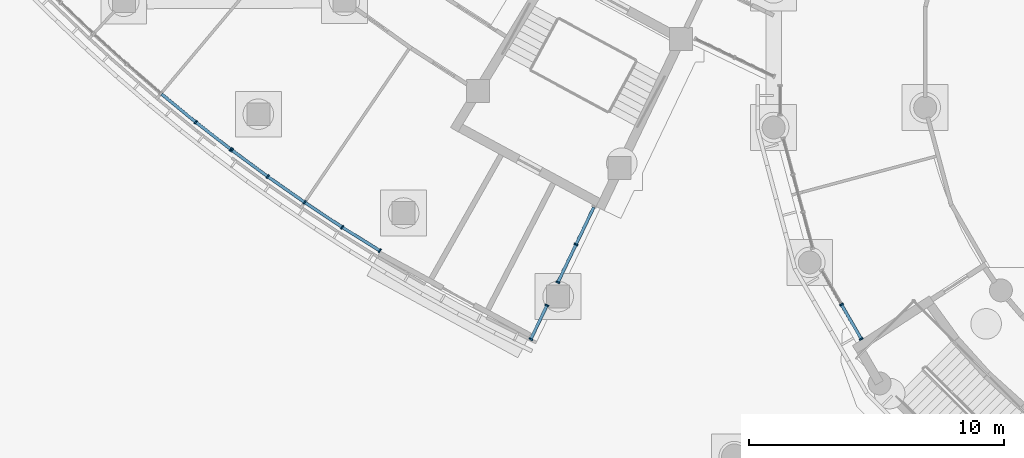
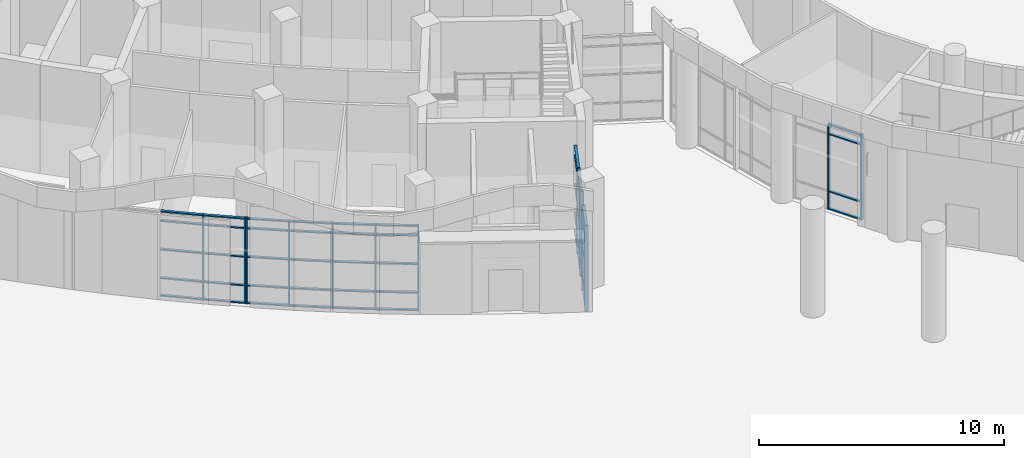
# One storey, part 19 of 146: 62 members, 5 elements without a shape of their own.
"""IFC4 building model written with IfcOpenShell, lengths in metres."""

from ifc_helpers import new_model, si_unit, direction, frame, origin, origin_2d, place, context, subcontext, project, spatial, rectangle, extrude, material, material_profile, profile_set, type_object, element, aggregate, save


model = new_model("IFC4")

# Units and contexts
model_context = context("Model", 3, precision=1e-05, world=origin(), true_north=direction((0.0, 1.0)))
body_context = subcontext(model_context, "Body", "Model", "MODEL_VIEW")
ifc_project = project(units=[si_unit("LENGTHUNIT", "METRE"), si_unit("AREAUNIT", "SQUARE_METRE"), si_unit("VOLUMEUNIT", "CUBIC_METRE"), si_unit("PLANEANGLEUNIT", "RADIAN"), si_unit("MASSUNIT", "GRAM", prefix="KILO")], contexts=[model_context])

# Site, building, storey
site_placement = place(None, origin())
site = spatial("IfcSite", under=ifc_project, at=site_placement, CompositionType="ELEMENT")
building_placement = place(site_placement, origin())
building = spatial("IfcBuilding", under=site, at=building_placement, Name="Bougainvillea Quay General Hospital", CompositionType="ELEMENT")
storey_placement = place(building_placement, origin())
storey = spatial("IfcBuildingStorey", under=building, at=storey_placement, Name="L00", CompositionType="ELEMENT", Elevation=0.0)

# Curtain wall, members
ifc_material_1 = material(Name="Aluminium curtain wall system, powder-coated glazed", Category="aluminium")
curtain_wall_type_1 = type_object("IfcCurtainWallType", Name="Unitised curtain wall CW-2100", PredefinedType="NOTDEFINED", material=ifc_material_1)
curtain_wall_1_placement = place(storey_placement, origin())
curtain_wall_1 = element("IfcCurtainWall", 1, at=curtain_wall_1_placement, inside=storey, type_object=curtain_wall_type_1, Name="CW-W02 a01b1", PredefinedType="NOTDEFINED")
ifc_material_2 = material(Name="Aluminium mullion, powder-coated charcoal", Category="aluminium")
ifc_material_profile_1 = material_profile(ifc_material_2, rectangle(XDim=0.159912109375, YDim=0.06005859375, at=origin_2d()))
ifc_profile_set_1 = profile_set([ifc_material_profile_1], Name="Aluminium mullion, powder-coated charcoal")
member_type_1 = type_object("IfcMemberType", Name="Curtain wall mullion 160x60", PredefinedType="MULLION", material=ifc_profile_set_1)
member_1_placement = place(storey_placement, frame((72.925537109375, 66.425048828125, 0.0), z_axis=(0.0, 0.0, 1.0), x_axis=(-0.530488991968, -0.847691824545, 0.0)))
member_1 = element("IfcMember", 2, at=member_1_placement, type_object=member_type_1, Name="CW-W02 mullion 1", PredefinedType="MULLION", context=body_context, shape_type="SweptSolid", body=[
    extrude(rectangle(XDim=0.159912109375, YDim=0.06005859375, at=origin_2d()), origin(), (0.0, 0.0, 1.0), 4.25),
])
member_2_placement = place(storey_placement, frame((71.45166015625, 67.347412109375, 0.0), z_axis=(0.0, 0.0, 1.0), x_axis=(-0.541194636325, -0.840897357359, 0.0)))
member_2 = element("IfcMember", 3, at=member_2_placement, type_object=member_type_1, Name="CW-W02 mullion 2", PredefinedType="MULLION", context=body_context, shape_type="SweptSolid", body=[
    extrude(rectangle(XDim=0.159912109375, YDim=0.06005859375, at=origin_2d()), origin(), (0.0, 0.0, 1.0), 4.25),
])
member_3_placement = place(storey_placement, frame((69.9765625, 68.323486328125, 0.0), z_axis=(0.0, 0.0, 1.0), x_axis=(-0.562343185136, -0.826903949762, 0.0)))
member_3 = element("IfcMember", 4, at=member_3_placement, type_object=member_type_1, Name="CW-W02 mullion 3", PredefinedType="MULLION", context=body_context, shape_type="SweptSolid", body=[
    extrude(rectangle(XDim=0.159912109375, YDim=0.06005859375, at=origin_2d()), origin(), (0.0, 0.0, 1.0), 4.25),
])
member_4_placement = place(storey_placement, frame((68.526611328125, 69.336669921875, 0.0), z_axis=(0.0, 0.0, 1.0), x_axis=(-0.583130104218, -0.812378779606, 0.0)))
member_4 = element("IfcMember", 5, at=member_4_placement, type_object=member_type_1, Name="CW-W02 mullion 4", PredefinedType="MULLION", context=body_context, shape_type="SweptSolid", body=[
    extrude(rectangle(XDim=0.159912109375, YDim=0.06005859375, at=origin_2d()), origin(), (0.0, 0.0, 1.0), 4.25),
])
member_5_placement = place(storey_placement, frame((67.127197265625, 70.368408203125, 0.0), z_axis=(0.0, 0.0, 1.0), x_axis=(-0.593383765922, -0.804919689373, 0.0)))
member_5 = element("IfcMember", 6, at=member_5_placement, type_object=member_type_1, Name="CW-W02 mullion 5", PredefinedType="MULLION", context=body_context, shape_type="SweptSolid", body=[
    extrude(rectangle(XDim=0.159912109375, YDim=0.06005859375, at=origin_2d()), origin(), (0.0, 0.0, 1.0), 4.25),
])

curtain_wall_2_placement = place(storey_placement, origin())
curtain_wall_2 = element("IfcCurtainWall", 7, at=curtain_wall_2_placement, inside=storey, type_object=curtain_wall_type_1, Name="CW-W03 a01b2", PredefinedType="NOTDEFINED")
member_6_placement = place(storey_placement, frame((67.079345703125, 70.404541015625, 0.0), z_axis=(0.0, 0.0, 1.0), x_axis=(-0.613603251226, -0.789614494602, 0.0)))
member_6 = element("IfcMember", 8, at=member_6_placement, type_object=member_type_1, Name="CW-W03 mullion 1", PredefinedType="MULLION", context=body_context, shape_type="SweptSolid", body=[
    extrude(rectangle(XDim=0.159912109375, YDim=0.06005859375, at=origin_2d()), origin(), (0.0, 0.0, 1.0), 4.25),
])
member_7_placement = place(storey_placement, frame((65.706298828125, 71.471435546875, 0.0), z_axis=(0.0, 0.0, 1.0), x_axis=(-0.623565824026, -0.781770850765, 0.0)))
member_7 = element("IfcMember", 9, at=member_7_placement, type_object=member_type_1, Name="CW-W03 mullion 2", PredefinedType="MULLION", context=body_context, shape_type="SweptSolid", body=[
    extrude(rectangle(XDim=0.159912109375, YDim=0.06005859375, at=origin_2d()), origin(), (0.0, 0.0, 1.0), 4.25),
])

curtain_wall_type_2 = type_object("IfcCurtainWallType", Name="Unitised curtain wall CW-1530", PredefinedType="NOTDEFINED", material=ifc_material_1)
curtain_wall_3_placement = place(storey_placement, origin())
curtain_wall_3 = element("IfcCurtainWall", 10, at=curtain_wall_3_placement, inside=storey, type_object=curtain_wall_type_2, Name="CW-AE 00", PredefinedType="NOTDEFINED")
member_8_placement = place(storey_placement, frame((78.851318359375, 62.95361328125, 0.0), z_axis=(0.0, 0.0, 1.0), x_axis=(-0.902576055431, 0.430530445105, 0.0)))
member_8 = element("IfcMember", 11, at=member_8_placement, type_object=member_type_1, Name="CW-AE mullion 1", PredefinedType="MULLION", context=body_context, shape_type="SweptSolid", body=[
    extrude(rectangle(XDim=0.159912109375, YDim=0.06005859375, at=origin_2d()), origin(), (0.0, 0.0, 1.0), 4.25),
])
member_9_placement = place(storey_placement, frame((79.484130859375, 64.2802734375, 0.0), z_axis=(0.0, 0.0, 1.0), x_axis=(-0.902576055431, 0.430530445105, 0.0)))
member_9 = element("IfcMember", 12, at=member_9_placement, type_object=member_type_1, Name="CW-AE mullion 2", PredefinedType="MULLION", context=body_context, shape_type="SweptSolid", body=[
    extrude(rectangle(XDim=0.159912109375, YDim=0.06005859375, at=origin_2d()), origin(), (0.0, 0.0, 1.0), 4.25),
])

curtain_wall_type_3 = type_object("IfcCurtainWallType", Name="Unitised curtain wall CW-1678", PredefinedType="NOTDEFINED", material=ifc_material_1)
curtain_wall_4_placement = place(storey_placement, origin())
curtain_wall_4 = element("IfcCurtainWall", 13, at=curtain_wall_4_placement, inside=storey, type_object=curtain_wall_type_3, Name="CW-AE 01", PredefinedType="NOTDEFINED")
member_10_placement = place(storey_placement, frame((79.91455078125, 65.182861328125, 0.0), z_axis=(0.0, 0.0, 1.0), x_axis=(-0.902576055431, 0.430530445105, 0.0)))
member_10 = element("IfcMember", 14, at=member_10_placement, type_object=member_type_1, Name="CW-AE mullion 1", PredefinedType="MULLION", context=body_context, shape_type="SweptSolid", body=[
    extrude(rectangle(XDim=0.159912109375, YDim=0.06005859375, at=origin_2d()), origin(), (0.0, 0.0, 1.0), 4.25),
])
member_11_placement = place(storey_placement, frame((80.6240234375, 66.670166015625, 0.0), z_axis=(0.0, 0.0, 1.0), x_axis=(-0.902576055431, 0.430530445105, 0.0)))
member_11 = element("IfcMember", 15, at=member_11_placement, type_object=member_type_1, Name="CW-AE mullion 2", PredefinedType="MULLION", context=body_context, shape_type="SweptSolid", body=[
    extrude(rectangle(XDim=0.159912109375, YDim=0.06005859375, at=origin_2d()), origin(), (0.0, 0.0, 1.0), 4.25),
])

curtain_wall_type_4 = type_object("IfcCurtainWallType", Name="Unitised curtain wall CW-1585", PredefinedType="NOTDEFINED", material=ifc_material_1)
curtain_wall_5_placement = place(storey_placement, origin())
curtain_wall_5 = element("IfcCurtainWall", 16, at=curtain_wall_5_placement, inside=storey, type_object=curtain_wall_type_4, Name="CW-D 00", PredefinedType="NOTDEFINED")
member_12_placement = place(storey_placement, frame((91.04296875, 64.309326171875, 0.0), z_axis=(0.0, 0.0, 1.0), x_axis=(0.866045865692, 0.499964557262, 0.0)))
member_12 = element("IfcMember", 17, at=member_12_placement, type_object=member_type_1, Name="CW-D mullion 2", PredefinedType="MULLION", context=body_context, shape_type="SweptSolid", body=[
    extrude(rectangle(XDim=0.159912109375, YDim=0.06005859375, at=origin_2d()), origin(), (0.0, 0.0, 1.0), 4.25),
])
member_13_placement = place(storey_placement, frame((91.8203125, 62.962646484375, 0.0), z_axis=(0.0, 0.0, 1.0), x_axis=(0.866045865692, 0.499964557262, 0.0)))
member_13 = element("IfcMember", 18, at=member_13_placement, type_object=member_type_1, Name="CW-D mullion 3", PredefinedType="MULLION", context=body_context, shape_type="SweptSolid", body=[
    extrude(rectangle(XDim=0.159912109375, YDim=0.06005859375, at=origin_2d()), origin(), (0.0, 0.0, 1.0), 4.25),
])

# Member
ifc_material_3 = material(Name="Aluminium transom, powder-coated charcoal", Category="aluminium")
ifc_material_profile_2 = material_profile(ifc_material_3, rectangle(XDim=0.1201171875, YDim=0.06005859375, at=origin_2d()))
ifc_profile_set_2 = profile_set([ifc_material_profile_2], Name="Aluminium transom, powder-coated charcoal")
member_type_2 = type_object("IfcMemberType", Name="Curtain wall transom 120x60", PredefinedType="USERDEFINED", material=ifc_profile_set_2)
member_14_placement = place(storey_placement, frame((72.900146484375, 66.44091796875, 0.030029296875), z_axis=(-0.847679524006, 0.530508647036, 0.0), x_axis=(-0.530508647036, -0.847679524006, 0.0)))
member_14 = element("IfcMember", 19, at=member_14_placement, type_object=member_type_2, Name="CW-W02 transom 1.1", ObjectType="TRANSOM", PredefinedType="USERDEFINED", context=body_context, shape_type="SweptSolid", body=[
    extrude(rectangle(XDim=0.1201171875, YDim=0.06005859375, at=origin_2d()), origin(), (0.0, 0.0, 1.0), 1.6787109375),
])

member_15_placement = place(storey_placement, frame((72.900146484375, 66.44091796875, 0.89990234375), z_axis=(-0.847679524006, 0.530508647036, 0.0), x_axis=(-0.530508647036, -0.847679524006, 0.0)))
member_15 = element("IfcMember", 20, at=member_15_placement, type_object=member_type_2, Name="CW-W02 transom 1.2", ObjectType="TRANSOM", PredefinedType="USERDEFINED", context=body_context, shape_type="SweptSolid", body=[
    extrude(rectangle(XDim=0.1201171875, YDim=0.06005859375, at=origin_2d()), origin(), (0.0, 0.0, 1.0), 1.6787109375),
])

member_16_placement = place(storey_placement, frame((72.900146484375, 66.44091796875, 2.324951171875), z_axis=(-0.847679524006, 0.530508647036, 0.0), x_axis=(-0.530508647036, -0.847679524006, 0.0)))
member_16 = element("IfcMember", 21, at=member_16_placement, type_object=member_type_2, Name="CW-W02 transom 1.3", ObjectType="TRANSOM", PredefinedType="USERDEFINED", context=body_context, shape_type="SweptSolid", body=[
    extrude(rectangle(XDim=0.1201171875, YDim=0.06005859375, at=origin_2d()), origin(), (0.0, 0.0, 1.0), 1.6787109375),
])

member_17_placement = place(storey_placement, frame((72.900146484375, 66.44091796875, 3.75), z_axis=(-0.847679524006, 0.530508647036, 0.0), x_axis=(-0.530508647036, -0.847679524006, 0.0)))
member_17 = element("IfcMember", 22, at=member_17_placement, type_object=member_type_2, Name="CW-W02 transom 1.4", ObjectType="TRANSOM", PredefinedType="USERDEFINED", context=body_context, shape_type="SweptSolid", body=[
    extrude(rectangle(XDim=0.1201171875, YDim=0.06005859375, at=origin_2d()), origin(), (0.0, 0.0, 1.0), 1.6787109375),
])

member_18_placement = place(storey_placement, frame((72.900146484375, 66.44091796875, 4.219970703125), z_axis=(-0.847679524006, 0.530508647036, 0.0), x_axis=(-0.530508647036, -0.847679524006, 0.0)))
member_18 = element("IfcMember", 23, at=member_18_placement, type_object=member_type_2, Name="CW-W02 transom 1.5", ObjectType="TRANSOM", PredefinedType="USERDEFINED", context=body_context, shape_type="SweptSolid", body=[
    extrude(rectangle(XDim=0.1201171875, YDim=0.06005859375, at=origin_2d()), origin(), (0.0, 0.0, 1.0), 1.6787109375),
])

member_19_placement = place(storey_placement, frame((71.4267578125, 67.364013671875, 0.030029296875), z_axis=(-0.833979585155, 0.551795298589, 0.0), x_axis=(-0.551795298589, -0.833979585155, 0.0)))
member_19 = element("IfcMember", 24, at=member_19_placement, type_object=member_type_2, Name="CW-W02 transom 2.1", ObjectType="TRANSOM", PredefinedType="USERDEFINED", context=body_context, shape_type="SweptSolid", body=[
    extrude(rectangle(XDim=0.1201171875, YDim=0.06005859375, at=origin_2d()), origin(), (0.0, 0.0, 1.0), 1.708740234375),
])

member_20_placement = place(storey_placement, frame((71.4267578125, 67.364013671875, 0.89990234375), z_axis=(-0.833979585155, 0.551795298589, 0.0), x_axis=(-0.551795298589, -0.833979585155, 0.0)))
member_20 = element("IfcMember", 25, at=member_20_placement, type_object=member_type_2, Name="CW-W02 transom 2.2", ObjectType="TRANSOM", PredefinedType="USERDEFINED", context=body_context, shape_type="SweptSolid", body=[
    extrude(rectangle(XDim=0.1201171875, YDim=0.06005859375, at=origin_2d()), origin(), (0.0, 0.0, 1.0), 1.708740234375),
])

member_21_placement = place(storey_placement, frame((71.4267578125, 67.364013671875, 2.324951171875), z_axis=(-0.833979585155, 0.551795298589, 0.0), x_axis=(-0.551795298589, -0.833979585155, 0.0)))
member_21 = element("IfcMember", 26, at=member_21_placement, type_object=member_type_2, Name="CW-W02 transom 2.3", ObjectType="TRANSOM", PredefinedType="USERDEFINED", context=body_context, shape_type="SweptSolid", body=[
    extrude(rectangle(XDim=0.1201171875, YDim=0.06005859375, at=origin_2d()), origin(), (0.0, 0.0, 1.0), 1.708740234375),
])

member_22_placement = place(storey_placement, frame((71.4267578125, 67.364013671875, 3.75), z_axis=(-0.833979585155, 0.551795298589, 0.0), x_axis=(-0.551795298589, -0.833979585155, 0.0)))
member_22 = element("IfcMember", 27, at=member_22_placement, type_object=member_type_2, Name="CW-W02 transom 2.4", ObjectType="TRANSOM", PredefinedType="USERDEFINED", context=body_context, shape_type="SweptSolid", body=[
    extrude(rectangle(XDim=0.1201171875, YDim=0.06005859375, at=origin_2d()), origin(), (0.0, 0.0, 1.0), 1.708740234375),
])

member_23_placement = place(storey_placement, frame((71.4267578125, 67.364013671875, 4.219970703125), z_axis=(-0.833979585155, 0.551795298589, 0.0), x_axis=(-0.551795298589, -0.833979585155, 0.0)))
member_23 = element("IfcMember", 28, at=member_23_placement, type_object=member_type_2, Name="CW-W02 transom 2.5", ObjectType="TRANSOM", PredefinedType="USERDEFINED", context=body_context, shape_type="SweptSolid", body=[
    extrude(rectangle(XDim=0.1201171875, YDim=0.06005859375, at=origin_2d()), origin(), (0.0, 0.0, 1.0), 1.708740234375),
])

member_24_placement = place(storey_placement, frame((69.951904296875, 68.340576171875, 0.030029296875), z_axis=(-0.81969481029, 0.572800504524, 0.0), x_axis=(-0.572800504524, -0.81969481029, 0.0)))
member_24 = element("IfcMember", 29, at=member_24_placement, type_object=member_type_2, Name="CW-W02 transom 3.1", ObjectType="TRANSOM", PredefinedType="USERDEFINED", context=body_context, shape_type="SweptSolid", body=[
    extrude(rectangle(XDim=0.1201171875, YDim=0.06005859375, at=origin_2d()), origin(), (0.0, 0.0, 1.0), 1.708740234375),
])

member_25_placement = place(storey_placement, frame((69.951904296875, 68.340576171875, 0.89990234375), z_axis=(-0.81969481029, 0.572800504524, 0.0), x_axis=(-0.572800504524, -0.81969481029, 0.0)))
member_25 = element("IfcMember", 30, at=member_25_placement, type_object=member_type_2, Name="CW-W02 transom 3.2", ObjectType="TRANSOM", PredefinedType="USERDEFINED", context=body_context, shape_type="SweptSolid", body=[
    extrude(rectangle(XDim=0.1201171875, YDim=0.06005859375, at=origin_2d()), origin(), (0.0, 0.0, 1.0), 1.708740234375),
])

member_26_placement = place(storey_placement, frame((69.951904296875, 68.340576171875, 2.324951171875), z_axis=(-0.81969481029, 0.572800504524, 0.0), x_axis=(-0.572800504524, -0.81969481029, 0.0)))
member_26 = element("IfcMember", 31, at=member_26_placement, type_object=member_type_2, Name="CW-W02 transom 3.3", ObjectType="TRANSOM", PredefinedType="USERDEFINED", context=body_context, shape_type="SweptSolid", body=[
    extrude(rectangle(XDim=0.1201171875, YDim=0.06005859375, at=origin_2d()), origin(), (0.0, 0.0, 1.0), 1.708740234375),
])

member_27_placement = place(storey_placement, frame((69.951904296875, 68.340576171875, 3.75), z_axis=(-0.81969481029, 0.572800504524, 0.0), x_axis=(-0.572800504524, -0.81969481029, 0.0)))
member_27 = element("IfcMember", 32, at=member_27_placement, type_object=member_type_2, Name="CW-W02 transom 3.4", ObjectType="TRANSOM", PredefinedType="USERDEFINED", context=body_context, shape_type="SweptSolid", body=[
    extrude(rectangle(XDim=0.1201171875, YDim=0.06005859375, at=origin_2d()), origin(), (0.0, 0.0, 1.0), 1.708740234375),
])

member_28_placement = place(storey_placement, frame((69.951904296875, 68.340576171875, 4.219970703125), z_axis=(-0.81969481029, 0.572800504524, 0.0), x_axis=(-0.572800504524, -0.81969481029, 0.0)))
member_28 = element("IfcMember", 33, at=member_28_placement, type_object=member_type_2, Name="CW-W02 transom 3.5", ObjectType="TRANSOM", PredefinedType="USERDEFINED", context=body_context, shape_type="SweptSolid", body=[
    extrude(rectangle(XDim=0.1201171875, YDim=0.06005859375, at=origin_2d()), origin(), (0.0, 0.0, 1.0), 1.708740234375),
])

member_29_placement = place(storey_placement, frame((68.50244140625, 69.3544921875, 0.030029296875), z_axis=(-0.804894956089, 0.593417314934, 0.0), x_axis=(-0.593417314934, -0.804894956089, 0.0)))
member_29 = element("IfcMember", 34, at=member_29_placement, type_object=member_type_2, Name="CW-W02 transom 4.1", ObjectType="TRANSOM", PredefinedType="USERDEFINED", context=body_context, shape_type="SweptSolid", body=[
    extrude(rectangle(XDim=0.1201171875, YDim=0.06005859375, at=origin_2d()), origin(), (0.0, 0.0, 1.0), 1.678466796875),
])

member_30_placement = place(storey_placement, frame((68.50244140625, 69.3544921875, 0.89990234375), z_axis=(-0.804894956089, 0.593417314934, 0.0), x_axis=(-0.593417314934, -0.804894956089, 0.0)))
member_30 = element("IfcMember", 35, at=member_30_placement, type_object=member_type_2, Name="CW-W02 transom 4.2", ObjectType="TRANSOM", PredefinedType="USERDEFINED", context=body_context, shape_type="SweptSolid", body=[
    extrude(rectangle(XDim=0.1201171875, YDim=0.06005859375, at=origin_2d()), origin(), (0.0, 0.0, 1.0), 1.678466796875),
])

member_31_placement = place(storey_placement, frame((68.50244140625, 69.3544921875, 2.324951171875), z_axis=(-0.804894956089, 0.593417314934, 0.0), x_axis=(-0.593417314934, -0.804894956089, 0.0)))
member_31 = element("IfcMember", 36, at=member_31_placement, type_object=member_type_2, Name="CW-W02 transom 4.3", ObjectType="TRANSOM", PredefinedType="USERDEFINED", context=body_context, shape_type="SweptSolid", body=[
    extrude(rectangle(XDim=0.1201171875, YDim=0.06005859375, at=origin_2d()), origin(), (0.0, 0.0, 1.0), 1.678466796875),
])

member_32_placement = place(storey_placement, frame((68.50244140625, 69.3544921875, 3.75), z_axis=(-0.804894956089, 0.593417314934, 0.0), x_axis=(-0.593417314934, -0.804894956089, 0.0)))
member_32 = element("IfcMember", 37, at=member_32_placement, type_object=member_type_2, Name="CW-W02 transom 4.4", ObjectType="TRANSOM", PredefinedType="USERDEFINED", context=body_context, shape_type="SweptSolid", body=[
    extrude(rectangle(XDim=0.1201171875, YDim=0.06005859375, at=origin_2d()), origin(), (0.0, 0.0, 1.0), 1.678466796875),
])

member_33_placement = place(storey_placement, frame((68.50244140625, 69.3544921875, 4.219970703125), z_axis=(-0.804894956089, 0.593417314934, 0.0), x_axis=(-0.593417314934, -0.804894956089, 0.0)))
member_33 = element("IfcMember", 38, at=member_33_placement, type_object=member_type_2, Name="CW-W02 transom 4.5", ObjectType="TRANSOM", PredefinedType="USERDEFINED", context=body_context, shape_type="SweptSolid", body=[
    extrude(rectangle(XDim=0.1201171875, YDim=0.06005859375, at=origin_2d()), origin(), (0.0, 0.0, 1.0), 1.678466796875),
])

aggregate(curtain_wall_1, [member_1, member_2, member_3, member_4, member_5, member_14, member_15, member_16, member_17, member_18, member_19, member_20, member_21, member_22, member_23, member_24, member_25, member_26, member_27, member_28, member_29, member_30, member_31, member_32, member_33])

member_34_placement = place(storey_placement, frame((67.0556640625, 70.423095703125, 0.030029296875), z_axis=(-0.789657512127, 0.613547890178, 0.0), x_axis=(-0.613547890178, -0.789657512127, 0.0)))
member_34 = element("IfcMember", 39, at=member_34_placement, type_object=member_type_2, Name="CW-W03 transom 1.1", ObjectType="TRANSOM", PredefinedType="USERDEFINED", context=body_context, shape_type="SweptSolid", body=[
    extrude(rectangle(XDim=0.1201171875, YDim=0.06005859375, at=origin_2d()), origin(), (0.0, 0.0, 1.0), 1.6787109375),
])

member_35_placement = place(storey_placement, frame((67.0556640625, 70.423095703125, 0.89990234375), z_axis=(-0.789657512127, 0.613547890178, 0.0), x_axis=(-0.613547890178, -0.789657512127, 0.0)))
member_35 = element("IfcMember", 40, at=member_35_placement, type_object=member_type_2, Name="CW-W03 transom 1.2", ObjectType="TRANSOM", PredefinedType="USERDEFINED", context=body_context, shape_type="SweptSolid", body=[
    extrude(rectangle(XDim=0.1201171875, YDim=0.06005859375, at=origin_2d()), origin(), (0.0, 0.0, 1.0), 1.6787109375),
])

member_36_placement = place(storey_placement, frame((67.0556640625, 70.423095703125, 2.324951171875), z_axis=(-0.789657512127, 0.613547890178, 0.0), x_axis=(-0.613547890178, -0.789657512127, 0.0)))
member_36 = element("IfcMember", 41, at=member_36_placement, type_object=member_type_2, Name="CW-W03 transom 1.3", ObjectType="TRANSOM", PredefinedType="USERDEFINED", context=body_context, shape_type="SweptSolid", body=[
    extrude(rectangle(XDim=0.1201171875, YDim=0.06005859375, at=origin_2d()), origin(), (0.0, 0.0, 1.0), 1.6787109375),
])

member_37_placement = place(storey_placement, frame((67.0556640625, 70.423095703125, 3.75), z_axis=(-0.789657512127, 0.613547890178, 0.0), x_axis=(-0.613547890178, -0.789657512127, 0.0)))
member_37 = element("IfcMember", 42, at=member_37_placement, type_object=member_type_2, Name="CW-W03 transom 1.4", ObjectType="TRANSOM", PredefinedType="USERDEFINED", context=body_context, shape_type="SweptSolid", body=[
    extrude(rectangle(XDim=0.1201171875, YDim=0.06005859375, at=origin_2d()), origin(), (0.0, 0.0, 1.0), 1.6787109375),
])

member_38_placement = place(storey_placement, frame((67.0556640625, 70.423095703125, 4.219970703125), z_axis=(-0.789657512127, 0.613547890178, 0.0), x_axis=(-0.613547890178, -0.789657512127, 0.0)))
member_38 = element("IfcMember", 43, at=member_38_placement, type_object=member_type_2, Name="CW-W03 transom 1.5", ObjectType="TRANSOM", PredefinedType="USERDEFINED", context=body_context, shape_type="SweptSolid", body=[
    extrude(rectangle(XDim=0.1201171875, YDim=0.06005859375, at=origin_2d()), origin(), (0.0, 0.0, 1.0), 1.6787109375),
])

member_39_placement = place(storey_placement, frame((65.68310546875, 71.490478515625, 0.030029296875), z_axis=(-0.773766303508, 0.633471157635, 0.0), x_axis=(-0.633471157635, -0.773766303508, 0.0)))
member_39 = element("IfcMember", 44, at=member_39_placement, type_object=member_type_2, Name="CW-W03 transom 2.1", ObjectType="TRANSOM", PredefinedType="USERDEFINED", context=body_context, shape_type="SweptSolid", body=[
    extrude(rectangle(XDim=0.1201171875, YDim=0.06005859375, at=origin_2d()), origin(), (0.0, 0.0, 1.0), 1.708984375),
])

member_40_placement = place(storey_placement, frame((65.68310546875, 71.490478515625, 0.89990234375), z_axis=(-0.773766303508, 0.633471157635, 0.0), x_axis=(-0.633471157635, -0.773766303508, 0.0)))
member_40 = element("IfcMember", 45, at=member_40_placement, type_object=member_type_2, Name="CW-W03 transom 2.2", ObjectType="TRANSOM", PredefinedType="USERDEFINED", context=body_context, shape_type="SweptSolid", body=[
    extrude(rectangle(XDim=0.1201171875, YDim=0.06005859375, at=origin_2d()), origin(), (0.0, 0.0, 1.0), 1.708984375),
])

member_41_placement = place(storey_placement, frame((65.68310546875, 71.490478515625, 2.324951171875), z_axis=(-0.773766303508, 0.633471157635, 0.0), x_axis=(-0.633471157635, -0.773766303508, 0.0)))
member_41 = element("IfcMember", 46, at=member_41_placement, type_object=member_type_2, Name="CW-W03 transom 2.3", ObjectType="TRANSOM", PredefinedType="USERDEFINED", context=body_context, shape_type="SweptSolid", body=[
    extrude(rectangle(XDim=0.1201171875, YDim=0.06005859375, at=origin_2d()), origin(), (0.0, 0.0, 1.0), 1.708984375),
])

member_42_placement = place(storey_placement, frame((65.68310546875, 71.490478515625, 3.75), z_axis=(-0.773766303508, 0.633471157635, 0.0), x_axis=(-0.633471157635, -0.773766303508, 0.0)))
member_42 = element("IfcMember", 47, at=member_42_placement, type_object=member_type_2, Name="CW-W03 transom 2.4", ObjectType="TRANSOM", PredefinedType="USERDEFINED", context=body_context, shape_type="SweptSolid", body=[
    extrude(rectangle(XDim=0.1201171875, YDim=0.06005859375, at=origin_2d()), origin(), (0.0, 0.0, 1.0), 1.708984375),
])

member_43_placement = place(storey_placement, frame((65.68310546875, 71.490478515625, 4.219970703125), z_axis=(-0.773766303508, 0.633471157635, 0.0), x_axis=(-0.633471157635, -0.773766303508, 0.0)))
member_43 = element("IfcMember", 48, at=member_43_placement, type_object=member_type_2, Name="CW-W03 transom 2.5", ObjectType="TRANSOM", PredefinedType="USERDEFINED", context=body_context, shape_type="SweptSolid", body=[
    extrude(rectangle(XDim=0.1201171875, YDim=0.06005859375, at=origin_2d()), origin(), (0.0, 0.0, 1.0), 1.708984375),
])

aggregate(curtain_wall_2, [member_6, member_7, member_34, member_35, member_36, member_37, member_38, member_39, member_40, member_41, member_42, member_43])

member_44_placement = place(storey_placement, frame((78.8642578125, 62.980712890625, 0.030029296875), z_axis=(0.430511593909, 0.902585047245, 0.0), x_axis=(-0.902585047245, 0.430511593909, 0.0)))
member_44 = element("IfcMember", 49, at=member_44_placement, type_object=member_type_2, Name="CW-AE transom 1.1", ObjectType="TRANSOM", PredefinedType="USERDEFINED", context=body_context, shape_type="SweptSolid", body=[
    extrude(rectangle(XDim=0.1201171875, YDim=0.06005859375, at=origin_2d()), origin(), (0.0, 0.0, 1.0), 1.409912109375),
])

member_45_placement = place(storey_placement, frame((78.8642578125, 62.980712890625, 0.89990234375), z_axis=(0.430511593909, 0.902585047245, 0.0), x_axis=(-0.902585047245, 0.430511593909, 0.0)))
member_45 = element("IfcMember", 50, at=member_45_placement, type_object=member_type_2, Name="CW-AE transom 1.2", ObjectType="TRANSOM", PredefinedType="USERDEFINED", context=body_context, shape_type="SweptSolid", body=[
    extrude(rectangle(XDim=0.1201171875, YDim=0.06005859375, at=origin_2d()), origin(), (0.0, 0.0, 1.0), 1.409912109375),
])

member_46_placement = place(storey_placement, frame((78.8642578125, 62.980712890625, 2.324951171875), z_axis=(0.430511593909, 0.902585047245, 0.0), x_axis=(-0.902585047245, 0.430511593909, 0.0)))
member_46 = element("IfcMember", 51, at=member_46_placement, type_object=member_type_2, Name="CW-AE transom 1.3", ObjectType="TRANSOM", PredefinedType="USERDEFINED", context=body_context, shape_type="SweptSolid", body=[
    extrude(rectangle(XDim=0.1201171875, YDim=0.06005859375, at=origin_2d()), origin(), (0.0, 0.0, 1.0), 1.409912109375),
])

member_47_placement = place(storey_placement, frame((78.8642578125, 62.980712890625, 3.75), z_axis=(0.430511593909, 0.902585047245, 0.0), x_axis=(-0.902585047245, 0.430511593909, 0.0)))
member_47 = element("IfcMember", 52, at=member_47_placement, type_object=member_type_2, Name="CW-AE transom 1.4", ObjectType="TRANSOM", PredefinedType="USERDEFINED", context=body_context, shape_type="SweptSolid", body=[
    extrude(rectangle(XDim=0.1201171875, YDim=0.06005859375, at=origin_2d()), origin(), (0.0, 0.0, 1.0), 1.409912109375),
])

member_48_placement = place(storey_placement, frame((78.8642578125, 62.980712890625, 4.219970703125), z_axis=(0.430511593909, 0.902585047245, 0.0), x_axis=(-0.902585047245, 0.430511593909, 0.0)))
member_48 = element("IfcMember", 53, at=member_48_placement, type_object=member_type_2, Name="CW-AE transom 1.5", ObjectType="TRANSOM", PredefinedType="USERDEFINED", context=body_context, shape_type="SweptSolid", body=[
    extrude(rectangle(XDim=0.1201171875, YDim=0.06005859375, at=origin_2d()), origin(), (0.0, 0.0, 1.0), 1.409912109375),
])

aggregate(curtain_wall_3, [member_8, member_9, member_44, member_45, member_46, member_47, member_48])

member_49_placement = place(storey_placement, frame((79.927490234375, 65.2099609375, 0.030029296875), z_axis=(0.43053033997, 0.902576105581, 0.0), x_axis=(-0.902576105581, 0.43053033997, 0.0)))
member_49 = element("IfcMember", 54, at=member_49_placement, type_object=member_type_2, Name="CW-AE transom 1.1", ObjectType="TRANSOM", PredefinedType="USERDEFINED", context=body_context, shape_type="SweptSolid", body=[
    extrude(rectangle(XDim=0.1201171875, YDim=0.06005859375, at=origin_2d()), origin(), (0.0, 0.0, 1.0), 1.587890625),
])

member_50_placement = place(storey_placement, frame((79.927490234375, 65.2099609375, 0.89990234375), z_axis=(0.43053033997, 0.902576105581, 0.0), x_axis=(-0.902576105581, 0.43053033997, 0.0)))
member_50 = element("IfcMember", 55, at=member_50_placement, type_object=member_type_2, Name="CW-AE transom 1.2", ObjectType="TRANSOM", PredefinedType="USERDEFINED", context=body_context, shape_type="SweptSolid", body=[
    extrude(rectangle(XDim=0.1201171875, YDim=0.06005859375, at=origin_2d()), origin(), (0.0, 0.0, 1.0), 1.587890625),
])

member_51_placement = place(storey_placement, frame((79.927490234375, 65.2099609375, 2.324951171875), z_axis=(0.43053033997, 0.902576105581, 0.0), x_axis=(-0.902576105581, 0.43053033997, 0.0)))
member_51 = element("IfcMember", 56, at=member_51_placement, type_object=member_type_2, Name="CW-AE transom 1.3", ObjectType="TRANSOM", PredefinedType="USERDEFINED", context=body_context, shape_type="SweptSolid", body=[
    extrude(rectangle(XDim=0.1201171875, YDim=0.06005859375, at=origin_2d()), origin(), (0.0, 0.0, 1.0), 1.587890625),
])

member_52_placement = place(storey_placement, frame((79.927490234375, 65.2099609375, 3.75), z_axis=(0.43053033997, 0.902576105581, 0.0), x_axis=(-0.902576105581, 0.43053033997, 0.0)))
member_52 = element("IfcMember", 57, at=member_52_placement, type_object=member_type_2, Name="CW-AE transom 1.4", ObjectType="TRANSOM", PredefinedType="USERDEFINED", context=body_context, shape_type="SweptSolid", body=[
    extrude(rectangle(XDim=0.1201171875, YDim=0.06005859375, at=origin_2d()), origin(), (0.0, 0.0, 1.0), 1.587890625),
])

member_53_placement = place(storey_placement, frame((79.927490234375, 65.2099609375, 4.219970703125), z_axis=(0.43053033997, 0.902576105581, 0.0), x_axis=(-0.902576105581, 0.43053033997, 0.0)))
member_53 = element("IfcMember", 58, at=member_53_placement, type_object=member_type_2, Name="CW-AE transom 1.5", ObjectType="TRANSOM", PredefinedType="USERDEFINED", context=body_context, shape_type="SweptSolid", body=[
    extrude(rectangle(XDim=0.1201171875, YDim=0.06005859375, at=origin_2d()), origin(), (0.0, 0.0, 1.0), 1.587890625),
])

member_54_placement = place(storey_placement, frame((80.636962890625, 66.697265625, 0.030029296875), z_axis=(0.43053033997, 0.902576105581, 0.0), x_axis=(-0.902576105581, 0.43053033997, 0.0)))
member_54 = element("IfcMember", 59, at=member_54_placement, type_object=member_type_2, Name="CW-AE transom 2.1", ObjectType="TRANSOM", PredefinedType="USERDEFINED", context=body_context, shape_type="SweptSolid", body=[
    extrude(rectangle(XDim=0.1201171875, YDim=0.06005859375, at=origin_2d()), origin(), (0.0, 0.0, 1.0), 1.587890625),
])

member_55_placement = place(storey_placement, frame((80.636962890625, 66.697265625, 0.89990234375), z_axis=(0.43053033997, 0.902576105581, 0.0), x_axis=(-0.902576105581, 0.43053033997, 0.0)))
member_55 = element("IfcMember", 60, at=member_55_placement, type_object=member_type_2, Name="CW-AE transom 2.2", ObjectType="TRANSOM", PredefinedType="USERDEFINED", context=body_context, shape_type="SweptSolid", body=[
    extrude(rectangle(XDim=0.1201171875, YDim=0.06005859375, at=origin_2d()), origin(), (0.0, 0.0, 1.0), 1.587890625),
])

member_56_placement = place(storey_placement, frame((80.636962890625, 66.697265625, 2.324951171875), z_axis=(0.43053033997, 0.902576105581, 0.0), x_axis=(-0.902576105581, 0.43053033997, 0.0)))
member_56 = element("IfcMember", 61, at=member_56_placement, type_object=member_type_2, Name="CW-AE transom 2.3", ObjectType="TRANSOM", PredefinedType="USERDEFINED", context=body_context, shape_type="SweptSolid", body=[
    extrude(rectangle(XDim=0.1201171875, YDim=0.06005859375, at=origin_2d()), origin(), (0.0, 0.0, 1.0), 1.587890625),
])

member_57_placement = place(storey_placement, frame((80.636962890625, 66.697265625, 3.75), z_axis=(0.43053033997, 0.902576105581, 0.0), x_axis=(-0.902576105581, 0.43053033997, 0.0)))
member_57 = element("IfcMember", 62, at=member_57_placement, type_object=member_type_2, Name="CW-AE transom 2.4", ObjectType="TRANSOM", PredefinedType="USERDEFINED", context=body_context, shape_type="SweptSolid", body=[
    extrude(rectangle(XDim=0.1201171875, YDim=0.06005859375, at=origin_2d()), origin(), (0.0, 0.0, 1.0), 1.587890625),
])

member_58_placement = place(storey_placement, frame((80.636962890625, 66.697265625, 4.219970703125), z_axis=(0.43053033997, 0.902576105581, 0.0), x_axis=(-0.902576105581, 0.43053033997, 0.0)))
member_58 = element("IfcMember", 63, at=member_58_placement, type_object=member_type_2, Name="CW-AE transom 2.5", ObjectType="TRANSOM", PredefinedType="USERDEFINED", context=body_context, shape_type="SweptSolid", body=[
    extrude(rectangle(XDim=0.1201171875, YDim=0.06005859375, at=origin_2d()), origin(), (0.0, 0.0, 1.0), 1.587890625),
])

aggregate(curtain_wall_4, [member_10, member_11, member_49, member_50, member_51, member_52, member_53, member_54, member_55, member_56, member_57, member_58])

member_59_placement = place(storey_placement, frame((91.057861328125, 64.283447265625, 0.030029296875), z_axis=(0.499915667175, -0.866074087889, 0.0), x_axis=(0.866074087889, 0.499915667175, 0.0)))
member_59 = element("IfcMember", 64, at=member_59_placement, type_object=member_type_2, Name="CW-D transom 2.1", ObjectType="TRANSOM", PredefinedType="USERDEFINED", context=body_context, shape_type="SweptSolid", body=[
    extrude(rectangle(XDim=0.1201171875, YDim=0.06005859375, at=origin_2d()), origin(), (0.0, 0.0, 1.0), 1.494873046875),
])

member_60_placement = place(storey_placement, frame((91.057861328125, 64.283447265625, 0.89990234375), z_axis=(0.499915667175, -0.866074087889, 0.0), x_axis=(0.866074087889, 0.499915667175, 0.0)))
member_60 = element("IfcMember", 65, at=member_60_placement, type_object=member_type_2, Name="CW-D transom 2.2", ObjectType="TRANSOM", PredefinedType="USERDEFINED", context=body_context, shape_type="SweptSolid", body=[
    extrude(rectangle(XDim=0.1201171875, YDim=0.06005859375, at=origin_2d()), origin(), (0.0, 0.0, 1.0), 1.494873046875),
])

member_61_placement = place(storey_placement, frame((91.057861328125, 64.283447265625, 3.75), z_axis=(0.499915667175, -0.866074087889, 0.0), x_axis=(0.866074087889, 0.499915667175, 0.0)))
member_61 = element("IfcMember", 66, at=member_61_placement, type_object=member_type_2, Name="CW-D transom 2.3", ObjectType="TRANSOM", PredefinedType="USERDEFINED", context=body_context, shape_type="SweptSolid", body=[
    extrude(rectangle(XDim=0.1201171875, YDim=0.06005859375, at=origin_2d()), origin(), (0.0, 0.0, 1.0), 1.494873046875),
])

member_62_placement = place(storey_placement, frame((91.057861328125, 64.283447265625, 4.219970703125), z_axis=(0.499915667175, -0.866074087889, 0.0), x_axis=(0.866074087889, 0.499915667175, 0.0)))
member_62 = element("IfcMember", 67, at=member_62_placement, type_object=member_type_2, Name="CW-D transom 2.4", ObjectType="TRANSOM", PredefinedType="USERDEFINED", context=body_context, shape_type="SweptSolid", body=[
    extrude(rectangle(XDim=0.1201171875, YDim=0.06005859375, at=origin_2d()), origin(), (0.0, 0.0, 1.0), 1.494873046875),
])

aggregate(curtain_wall_5, [member_12, member_13, member_59, member_60, member_61, member_62])

save(model, "model.ifc")
